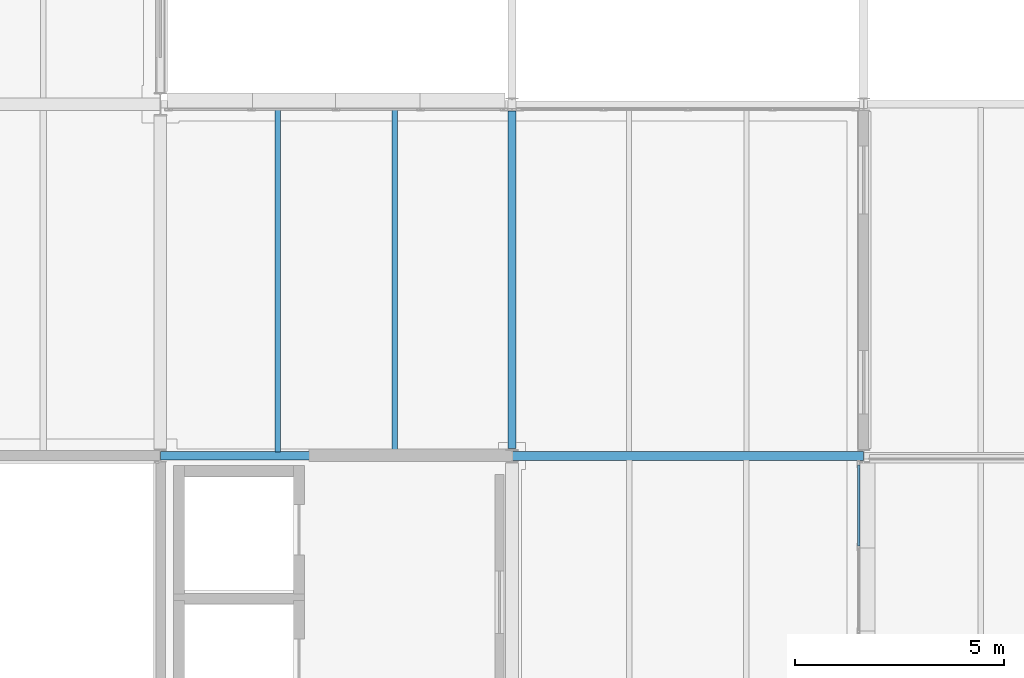
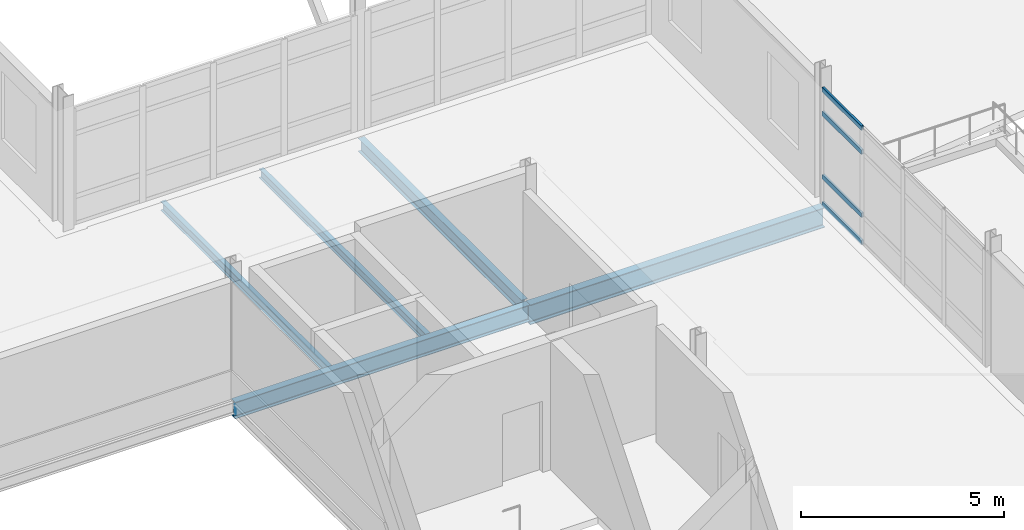
# One storey, part 17 of 131: 5 beams, 4 members, 1 element without a shape of its own.
"""IFC4 building model written with IfcOpenShell, lengths in metres."""

import ifcopenshell
import ifcopenshell.guid

model = None  # the IFC model being written
_history = None  # IfcOwnerHistory: only IFC2X3 demands one
_inside = {}  # id of a spatial element -> (the spatial element, [elements in it])
_under = {}  # id of a project, library or spatial element -> (it, [spatial elements below it])
_declared = {}  # id of a project -> (the project, [libraries it declares])
_typed = {}  # id of a type object -> (the type object, [elements of that type])
_made_of = {}  # id of a material, layer set ... -> (it, [elements and type objects made of it])


def new_model(schema):
    """Start an empty IFC model of exactly this schema.

    Asked for "IFC4X3", IfcOpenShell would pick the latest addendum, in which some entities
    have other attributes; the version numbers below select the first issue.
    IFC2X3 requires an IfcOwnerHistory on every rooted entity: one is made here for all.
    """
    global model, _history
    if schema == "IFC4X3":
        model = ifcopenshell.file(schema_version=(4, 3, 0, 0))
    else:
        model = ifcopenshell.file(schema=schema)
    _inside.clear()
    _under.clear()
    _declared.clear()
    _typed.clear()
    _made_of.clear()
    _history = None
    if model.schema == "IFC2X3":
        org = make("IfcOrganization", Name="unknown")
        user = make(
            "IfcPersonAndOrganization",
            ThePerson=make("IfcPerson", FamilyName="unknown"),
            TheOrganization=org,
        )
        app = make(
            "IfcApplication",
            ApplicationDeveloper=org,
            Version="unknown",
            ApplicationFullName="unknown",
            ApplicationIdentifier="unknown",
        )
        _history = make(
            "IfcOwnerHistory",
            OwningUser=user,
            OwningApplication=app,
            ChangeAction="ADDED",
            CreationDate=0,
        )
    return model


def make(cls, **values):
    """One entity of the class cls with the attributes given. An attribute that is None is left unset."""
    return model.create_entity(
        cls, **{name: value for name, value in values.items() if value is not None}
    )


def rooted(cls, **values):
    """An entity with a GlobalId (a new one), such as an element, a storey or a relation."""
    return make(cls, GlobalId=ifcopenshell.guid.new(), OwnerHistory=_history, **values)


def si_unit(unit_type, name, prefix=None):
    """IfcSIUnit, for example si_unit("LENGTHUNIT", "METRE", prefix="MILLI")."""
    return make("IfcSIUnit", UnitType=unit_type, Prefix=prefix, Name=name)


def assignment(units):
    """IfcUnitAssignment: the units of a project."""
    return None if units is None else make("IfcUnitAssignment", Units=units)


def point(xyz):
    """IfcCartesianPoint."""
    return None if xyz is None else make("IfcCartesianPoint", Coordinates=xyz)


def direction(xyz):
    """IfcDirection."""
    return None if xyz is None else make("IfcDirection", DirectionRatios=xyz)


def frame(location, z_axis=None, x_axis=None):
    """IfcAxis2Placement3D, a coordinate frame: its origin and axes. An axis left out is left unset."""
    return make(
        "IfcAxis2Placement3D",
        Location=point(location),
        Axis=direction(z_axis),
        RefDirection=direction(x_axis),
    )


def frame_2d(location, x_axis=None):
    """IfcAxis2Placement2D, a coordinate frame in the plane: its origin and x axis."""
    return make(
        "IfcAxis2Placement2D", Location=point(location), RefDirection=direction(x_axis)
    )


def origin():
    """The frame at (0, 0, 0) with its axes left unset."""
    return frame((0.0, 0.0, 0.0))


def origin_2d():
    """The frame at (0, 0) in the plane with its x axis left unset."""
    return frame_2d((0.0, 0.0))


def place(relative_to, where):
    """IfcLocalPlacement: puts the frame where relative to a parent placement (None: the world)."""
    return make(
        "IfcLocalPlacement", PlacementRelTo=relative_to, RelativePlacement=where
    )


def context(
    kind, dimensions, precision=None, world=None, true_north=None, identifier=None
):
    """IfcGeometricRepresentationContext, for example the 3D "Model" context."""
    return make(
        "IfcGeometricRepresentationContext",
        ContextIdentifier=identifier,
        ContextType=kind,
        CoordinateSpaceDimension=dimensions,
        Precision=precision,
        WorldCoordinateSystem=world,
        TrueNorth=true_north,
    )


def subcontext(parent, identifier, kind, view, scale=None):
    """IfcGeometricRepresentationSubContext, for example "Body" below "Model"."""
    return make(
        "IfcGeometricRepresentationSubContext",
        ContextIdentifier=identifier,
        ContextType=kind,
        ParentContext=parent,
        TargetScale=scale,
        TargetView=view,
    )


def project(units=None, contexts=None):
    """IfcProject with its units and contexts."""
    return rooted(
        "IfcProject",
        Name="project",
        RepresentationContexts=contexts,
        UnitsInContext=assignment(units),
    )


def spatial(cls, under=None, at=None, **own):
    """A site, building, storey or space (cls), placed at a placement, below another one or the project."""
    s = rooted(cls, ObjectPlacement=at, **own)
    if under is not None:
        _under.setdefault(under.id(), (under, []))[1].append(s)
    return s


def profile(cls, at=None, kind="AREA", **sizes):
    """A parametric profile (cls). Its sizes go by their IFC names, for example OverallWidth=200.0."""
    return make(cls, ProfileType=kind, Position=at, **sizes)


def hollow_rectangle(**sizes):
    """IfcRectangleHollowProfileDef."""
    return profile("IfcRectangleHollowProfileDef", **sizes)


def i_section(**sizes):
    """IfcIShapeProfileDef."""
    return profile("IfcIShapeProfileDef", **sizes)


def extrude(swept, where, along, depth):
    """IfcExtrudedAreaSolid: the profile swept, set in the frame where, extruded along a direction by depth."""
    return make(
        "IfcExtrudedAreaSolid",
        SweptArea=swept,
        Position=where,
        ExtrudedDirection=direction(along),
        Depth=depth,
    )


def shape(context_of_items, identifier, shape_type, items):
    """IfcShapeRepresentation: the items that make up one representation, for example the "Body"."""
    return make(
        "IfcShapeRepresentation",
        ContextOfItems=context_of_items,
        RepresentationIdentifier=identifier,
        RepresentationType=shape_type,
        Items=items,
    )


def material(Name=None, Category=None):
    """IfcMaterial."""
    return make("IfcMaterial", Name=Name, Category=Category)


def material_profile(
    of_material, cross_section, Name=None, Category=None, Priority=None
):
    """IfcMaterialProfile: a cross section and its material."""
    return make(
        "IfcMaterialProfile",
        Name=Name,
        Material=of_material,
        Profile=cross_section,
        Priority=Priority,
        Category=Category,
    )


def profile_set(profiles, Name=None, composite=None):
    """IfcMaterialProfileSet."""
    return make(
        "IfcMaterialProfileSet",
        Name=Name,
        MaterialProfiles=profiles,
        CompositeProfile=composite,
    )


def made_of(thing, what):
    """Note that an element or type object is made of a material, layer set ...; save() writes the relation."""
    if what is not None:
        _made_of.setdefault(what.id(), (what, []))[1].append(thing)
    return thing


def type_object(cls, material=None, **own):
    """A type object (cls), such as IfcWallType, which elements share."""
    return made_of(rooted(cls, **own), material)


def element(
    cls,
    number,
    at=None,
    inside=None,
    cuts=None,
    type_object=None,
    material=None,
    context=None,
    identifier="Body",
    shape_type=None,
    held_by="IfcProductDefinitionShape",
    body=None,
    shapes=None,
    **own,
):
    """One element of the class cls, such as IfcWall. Its Tag is "e" and its number.

    at: its placement. inside: the storey or other place that contains it. cuts: it is an
    opening in that element (IfcRelVoidsElement). A single representation is given by context,
    identifier, shape_type and body (its items); several are given by shapes. held_by: the class
    of the entity that holds the representations. save() writes the other relations.
    """
    e = rooted(cls, Tag="e%d" % number, ObjectPlacement=at, **own)
    if body is not None:
        shapes = [shape(context, identifier, shape_type, body)]
    if shapes is not None:
        e.Representation = make(held_by, Representations=shapes)
    if inside is not None:
        _inside.setdefault(inside.id(), (inside, []))[1].append(e)
    if cuts is not None:
        rooted(
            "IfcRelVoidsElement", RelatingBuildingElement=cuts, RelatedOpeningElement=e
        )
    if type_object is not None:
        _typed.setdefault(type_object.id(), (type_object, []))[1].append(e)
    return made_of(e, material)


def aggregate(whole, parts):
    """IfcRelAggregates: a whole, such as a stair, and the parts it consists of."""
    return rooted("IfcRelAggregates", RelatingObject=whole, RelatedObjects=parts)


def save(model, path):
    """Write the relations noted so far, then the file.

    IfcRelAggregates (storeys below a building ...), IfcRelContainedInSpatialStructure (elements
    in a storey), IfcRelDefinesByType, IfcRelAssociatesMaterial and IfcRelDeclares: one each for
    every whole, place, type object, material and project.
    """
    for whole, parts in _under.values():
        aggregate(whole, parts)
    for where, things in _inside.values():
        rooted(
            "IfcRelContainedInSpatialStructure",
            RelatedElements=things,
            RelatingStructure=where,
        )
    for kind, things in _typed.values():
        rooted("IfcRelDefinesByType", RelatedObjects=things, RelatingType=kind)
    for what, things in _made_of.values():
        rooted("IfcRelAssociatesMaterial", RelatedObjects=things, RelatingMaterial=what)
    for by, libraries in _declared.values():
        rooted("IfcRelDeclares", RelatingContext=by, RelatedDefinitions=libraries)
    model.write(path)


model = new_model("IFC4")

# Units and contexts
model_context = context("Model", 3, precision=1e-05, world=origin(), true_north=direction((0.0, 1.0)))
body_context = subcontext(model_context, "Body", "Model", "MODEL_VIEW")
ifc_project = project(units=[si_unit("LENGTHUNIT", "METRE"), si_unit("AREAUNIT", "SQUARE_METRE"), si_unit("VOLUMEUNIT", "CUBIC_METRE"), si_unit("PLANEANGLEUNIT", "RADIAN"), si_unit("MASSUNIT", "GRAM", prefix="KILO")], contexts=[model_context])

# Site, building, storey
site_placement = place(None, origin())
site = spatial("IfcSite", under=ifc_project, at=site_placement, CompositionType="ELEMENT")
building_placement = place(site_placement, origin())
building = spatial("IfcBuilding", under=site, at=building_placement, Name="Mersafa Astral City Hall", CompositionType="ELEMENT")
storey_placement = place(building_placement, frame((0.0, 0.0, 13.949951171875)))
storey = spatial("IfcBuildingStorey", under=building, at=storey_placement, Name="L03", CompositionType="ELEMENT", Elevation=13.949951171875)

# Curtain wall, members
ifc_material_1 = material(Name="Anodised bronze aluminium framing", Category="aluminium")
curtain_wall_type = type_object("IfcCurtainWallType", Name="ENV-CW-6", PredefinedType="USERDEFINED", material=ifc_material_1)
curtain_wall_placement = place(storey_placement, origin())
curtain_wall = element("IfcCurtainWall", 1, at=curtain_wall_placement, inside=storey, type_object=curtain_wall_type, Name="L03 Unitised solar curtain wall 149", ObjectType="UNITISED CURTAIN WALL", PredefinedType="USERDEFINED")
ifc_material_profile_1 = material_profile(ifc_material_1, hollow_rectangle(XDim=0.06005859375, YDim=0.139892578125, WallThickness=0.00390625, at=origin_2d()), Name="RHS 60x140x4")
ifc_profile_set_1 = profile_set([ifc_material_profile_1], Name="Anodised bronze aluminium framing")
member_type = type_object("IfcMemberType", Name="ENV-CW-TRN-1", PredefinedType="USERDEFINED", material=ifc_profile_set_1)
member_1_placement = place(storey_placement, frame((134.280029296875, 23.049072265625, 0.028076171875), z_axis=(0.0, 1.0, 0.0), x_axis=(-1.0, 0.0, 0.0)))
member_1 = element("IfcMember", 2, at=member_1_placement, type_object=member_type, Name="CW-6 transom 4.1", ObjectType="TRANSOM", PredefinedType="USERDEFINED", context=body_context, shape_type="SweptSolid", body=[
    extrude(hollow_rectangle(XDim=0.06005859375, YDim=0.139892578125, WallThickness=0.00390625, at=origin_2d()), origin(), (0.0, 0.0, 1.0), 1.928955078125),
])
member_2_placement = place(storey_placement, frame((134.280029296875, 23.049072265625, 0.85009765625), z_axis=(0.0, 1.0, 0.0), x_axis=(-1.0, 0.0, 0.0)))
member_2 = element("IfcMember", 3, at=member_2_placement, type_object=member_type, Name="CW-6 transom 4.2", ObjectType="TRANSOM", PredefinedType="USERDEFINED", context=body_context, shape_type="SweptSolid", body=[
    extrude(hollow_rectangle(XDim=0.06005859375, YDim=0.139892578125, WallThickness=0.00390625, at=origin_2d()), origin(), (0.0, 0.0, 1.0), 1.928955078125),
])
member_3_placement = place(storey_placement, frame((134.280029296875, 23.049072265625, 2.75), z_axis=(0.0, 1.0, 0.0), x_axis=(-1.0, 0.0, 0.0)))
member_3 = element("IfcMember", 4, at=member_3_placement, type_object=member_type, Name="CW-6 transom 4.3", ObjectType="TRANSOM", PredefinedType="USERDEFINED", context=body_context, shape_type="SweptSolid", body=[
    extrude(hollow_rectangle(XDim=0.06005859375, YDim=0.139892578125, WallThickness=0.00390625, at=origin_2d()), origin(), (0.0, 0.0, 1.0), 1.928955078125),
])
member_4_placement = place(storey_placement, frame((134.280029296875, 23.049072265625, 3.47216796875), z_axis=(0.0, 1.0, 0.0), x_axis=(-1.0, 0.0, 0.0)))
member_4 = element("IfcMember", 5, at=member_4_placement, type_object=member_type, Name="CW-6 transom 4.4", ObjectType="TRANSOM", PredefinedType="USERDEFINED", context=body_context, shape_type="SweptSolid", body=[
    extrude(hollow_rectangle(XDim=0.06005859375, YDim=0.139892578125, WallThickness=0.00390625, at=origin_2d()), origin(), (0.0, 0.0, 1.0), 1.928955078125),
])
aggregate(curtain_wall, [member_1, member_2, member_3, member_4])

# Beams
ifc_material_2 = material(Name="Steel S355", Category="steel")
ifc_material_profile_2 = material_profile(ifc_material_2, i_section(OverallWidth=0.179931640625, OverallDepth=0.39990234375, WebThickness=0.008544921875, FlangeThickness=0.013427734375, FilletRadius=0.02099609375, at=origin_2d()), Name="IPE 400")
ifc_profile_set_2 = profile_set([ifc_material_profile_2], Name="Steel S355")
beam_type_1 = type_object("IfcBeamType", Name="STR-BM-IPE400", PredefinedType="BEAM", material=ifc_profile_set_2)
beam_1_placement = place(storey_placement, frame((126.0, 25.375, -0.39990234375), z_axis=(0.0, 1.0, 0.0), x_axis=(-1.0, 0.0, 0.0)))
element("IfcBeam", 6, at=beam_1_placement, inside=storey, type_object=beam_type_1, Name="L03 Primary girder Y 15-3", PredefinedType="BEAM", context=body_context, shape_type="SweptSolid", body=[
    extrude(i_section(OverallWidth=0.179931640625, OverallDepth=0.39990234375, WebThickness=0.008544921875, FlangeThickness=0.013427734375, FilletRadius=0.02099609375, at=origin_2d()), origin(), (0.0, 0.0, 1.0), 8.06005859375),
])
ifc_material_profile_3 = material_profile(ifc_material_2, i_section(OverallWidth=0.199951171875, OverallDepth=0.5, WebThickness=0.01025390625, FlangeThickness=0.01611328125, FilletRadius=0.02099609375, at=origin_2d()), Name="IPE 500")
ifc_profile_set_3 = profile_set([ifc_material_profile_3], Name="Steel S355")
beam_type_2 = type_object("IfcBeamType", Name="STR-BM-IPE500", PredefinedType="BEAM", material=ifc_profile_set_3)
beam_2_placement = place(storey_placement, frame((117.60302734375, 25.199951171875, -0.449951171875), z_axis=(1.0, 0.0, 0.0), x_axis=(0.0, 1.0, 0.0)))
element("IfcBeam", 7, at=beam_2_placement, inside=storey, type_object=beam_type_2, Name="L03 Primary girder X 14-3", PredefinedType="BEAM", context=body_context, shape_type="SweptSolid", body=[
    extrude(i_section(OverallWidth=0.199951171875, OverallDepth=0.5, WebThickness=0.01025390625, FlangeThickness=0.01611328125, FilletRadius=0.02099609375, at=origin_2d()), origin(), (0.0, 0.0, 1.0), 8.39404296875),
])
ifc_material_profile_4 = material_profile(ifc_material_2, i_section(OverallWidth=0.219970703125, OverallDepth=0.60009765625, WebThickness=0.011962890625, FlangeThickness=0.01904296875, FilletRadius=0.02392578125, at=origin_2d()), Name="IPE 600")
ifc_profile_set_4 = profile_set([ifc_material_profile_4], Name="Steel S355")
beam_type_3 = type_object("IfcBeamType", Name="STR-BM-IPE600", PredefinedType="BEAM", material=ifc_profile_set_4)
beam_3_placement = place(storey_placement, frame((126.0029296875, 25.199951171875, -0.5), z_axis=(1.0, 0.0, 0.0), x_axis=(0.0, 1.0, 0.0)))
element("IfcBeam", 8, at=beam_3_placement, inside=storey, type_object=beam_type_3, Name="L03 Primary girder X 15-3", PredefinedType="BEAM", context=body_context, shape_type="SweptSolid", body=[
    extrude(i_section(OverallWidth=0.219970703125, OverallDepth=0.60009765625, WebThickness=0.011962890625, FlangeThickness=0.01904296875, FilletRadius=0.02392578125, at=origin_2d()), origin(), (0.0, 0.0, 1.0), 8.39404296875),
])
ifc_material_profile_5 = material_profile(ifc_material_2, i_section(OverallWidth=0.135009765625, OverallDepth=0.27001953125, WebThickness=0.006591796875, FlangeThickness=0.01025390625, FilletRadius=0.014892578125, at=origin_2d()), Name="IPE 270")
ifc_profile_set_5 = profile_set([ifc_material_profile_5], Name="Steel S355")
beam_type_4 = type_object("IfcBeamType", Name="STR-BM-JOIST-IPE270", PredefinedType="JOIST", material=ifc_profile_set_5)
for number, where, z_axis, x_axis, name in (
    (9, (120.39990234375, 25.294921875, -0.3349609375), (0.0, 1.0, 0.0), (-1.0, 0.0, 0.0), "L03 Composite secondary floor joist 630"),
    (10, (123.199951171875, 25.294921875, -0.3349609375), (0.0, 1.0, 0.0), (-1.0, 0.0, 0.0), "L03 Composite secondary floor joist 631"),
):
    element("IfcBeam", number, at=place(storey_placement, frame(where, z_axis=z_axis, x_axis=x_axis)), inside=storey, type_object=beam_type_4, Name=name, PredefinedType="JOIST", context=body_context, shape_type="SweptSolid", body=[
        extrude(i_section(OverallWidth=0.135009765625, OverallDepth=0.27001953125, WebThickness=0.006591796875, FlangeThickness=0.01025390625, FilletRadius=0.014892578125, at=origin_2d()), origin(), (0.0, 0.0, 1.0), 8.22509765625),
    ])

save(model, "model.ifc")
